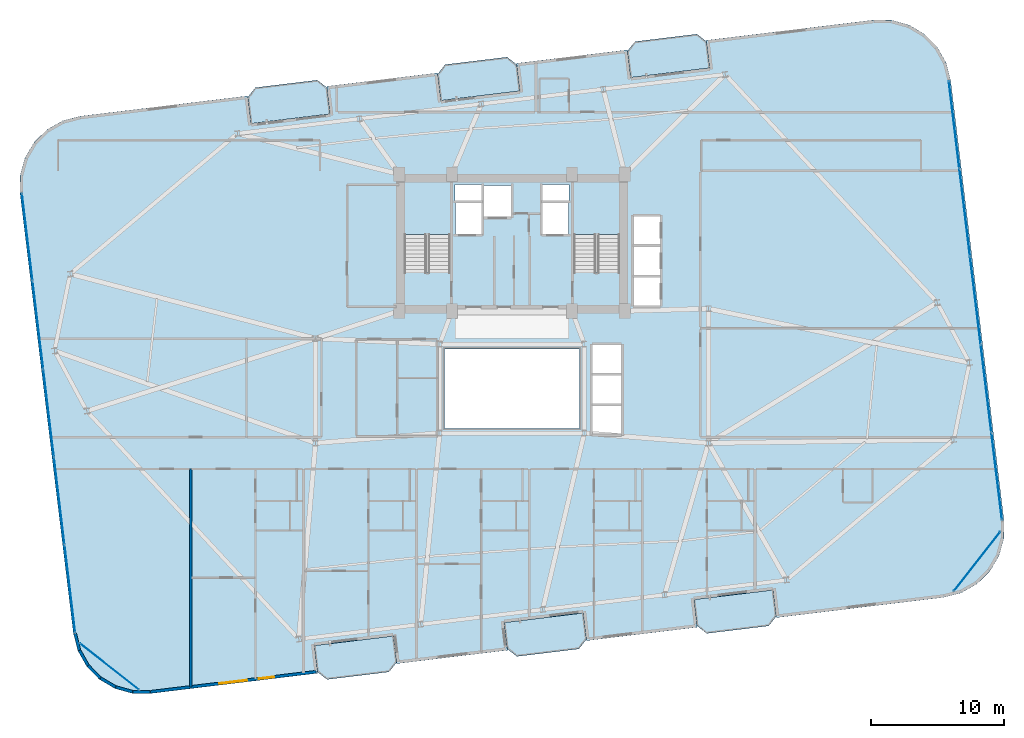
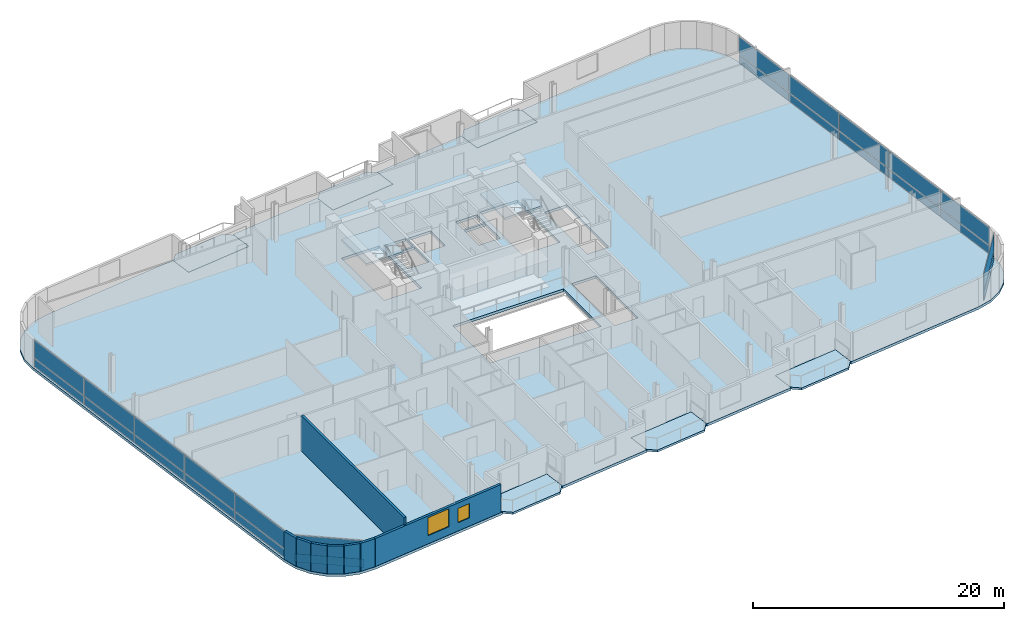
# One storey, part 14 of 24: 24 plates, 9 slabs, 8 walls, 2 windows, 2 openings, 6 elements without a shape of their own.
"""IFC4 building model written with IfcOpenShell, lengths in metres."""

from ifc_helpers import new_model, si_unit, direction, frame, frame_2d, origin, origin_2d, place, context, subcontext, project, spatial, polyline, rectangle, outline, extrude, source, transform, mapped, material, layer, layer_set, type_object, element, fill, aggregate, save


model = new_model("IFC4")

# Units and contexts
model_context = context("Model", 3, precision=1e-05, world=origin(), true_north=direction((0.0, 1.0)))
body_context = subcontext(model_context, "Body", "Model", "MODEL_VIEW")
ifc_project = project(units=[si_unit("LENGTHUNIT", "METRE"), si_unit("AREAUNIT", "SQUARE_METRE"), si_unit("VOLUMEUNIT", "CUBIC_METRE"), si_unit("PLANEANGLEUNIT", "RADIAN"), si_unit("MASSUNIT", "GRAM", prefix="KILO")], contexts=[model_context])

# Site, building, storey
site_placement = place(None, origin())
site = spatial("IfcSite", under=ifc_project, at=site_placement, CompositionType="ELEMENT")
building_placement = place(site_placement, origin())
building = spatial("IfcBuilding", under=site, at=building_placement, Name="Varnelok Gate Tower", CompositionType="ELEMENT")
storey_placement = place(building_placement, frame((0.0, 0.0, 196.800048828125)))
storey = spatial("IfcBuildingStorey", under=building, at=storey_placement, Name="L50", CompositionType="ELEMENT", Elevation=196.800048828125)

# Slabs
ifc_material_1 = material(Name="Concrete C45/55", Category="concrete")
ifc_layer_1 = layer(ifc_material_1, 0.199951171875)
ifc_layer_set_1 = layer_set([ifc_layer_1], Name="Concrete C45/55")
slab_type_1 = type_object("IfcSlabType", Name="SLB-BALC-200", PredefinedType="FLOOR", material=ifc_layer_set_1)
slab_1_placement = place(storey_placement, frame((0.0, 0.0, -0.199951171875)))
element("IfcSlab", 1, at=slab_1_placement, inside=storey, type_object=slab_type_1, Name="L50 South Hollow Balcony 1", PredefinedType="FLOOR", context=body_context, shape_type="SweptSolid", body=[
    extrude(outline(polyline([(24.550048828125, 1.564453125), (25.2734375, 0.997314453125), (29.939208984375, 1.56298828125), (30.50634765625, 2.28662109375), (30.265625, 4.27197265625), (24.309326171875, 3.5498046875), (24.550048828125, 1.564453125)])), origin(), (0.0, 0.0, 1.0), 0.199951171875),
])
slab_2_placement = place(storey_placement, frame((0.0, 0.0, -0.199951171875)))
element("IfcSlab", 2, at=slab_2_placement, inside=storey, type_object=slab_type_1, Name="L50 South Hollow Balcony 2", PredefinedType="FLOOR", context=body_context, shape_type="SweptSolid", body=[
    extrude(outline(polyline([(38.84521484375, 3.29736328125), (39.56884765625, 2.73046875), (44.234619140625, 3.2958984375), (44.8017578125, 4.01953125), (44.56103515625, 6.0048828125), (38.6044921875, 5.282958984375), (38.84521484375, 3.29736328125)])), origin(), (0.0, 0.0, 1.0), 0.199951171875),
])
slab_3_placement = place(storey_placement, frame((0.0, 0.0, -0.199951171875)))
element("IfcSlab", 3, at=slab_3_placement, inside=storey, type_object=slab_type_1, Name="L50 South Hollow Balcony 3", PredefinedType="FLOOR", context=body_context, shape_type="SweptSolid", body=[
    extrude(outline(polyline([(53.140625, 5.030517578125), (53.8642578125, 4.46337890625), (58.530029296875, 5.02880859375), (59.09716796875, 5.75244140625), (58.8564453125, 7.73779296875), (52.89990234375, 7.015869140625), (53.140625, 5.030517578125)])), origin(), (0.0, 0.0, 1.0), 0.199951171875),
])
slab_4_placement = place(storey_placement, frame((0.0, 0.0, -0.199951171875)))
element("IfcSlab", 4, at=slab_4_placement, inside=storey, type_object=slab_type_1, Name="L50 North Hollow Balcony 1", PredefinedType="FLOOR", context=body_context, shape_type="SweptSolid", body=[
    extrude(outline(polyline([(19.543701171875, 42.862060546875), (25.5, 43.584228515625), (25.25927734375, 45.569580078125), (24.535888671875, 46.13671875), (19.8701171875, 45.571044921875), (19.302978515625, 44.84765625), (19.543701171875, 42.862060546875)])), origin(), (0.0, 0.0, 1.0), 0.199951171875),
])
slab_5_placement = place(storey_placement, frame((0.0, 0.0, -0.199951171875)))
element("IfcSlab", 5, at=slab_5_placement, inside=storey, type_object=slab_type_1, Name="L50 North Hollow Balcony 2", PredefinedType="FLOOR", context=body_context, shape_type="SweptSolid", body=[
    extrude(outline(polyline([(33.839111328125, 44.59521484375), (39.79541015625, 45.317138671875), (39.5546875, 47.302490234375), (38.831298828125, 47.86962890625), (34.165283203125, 47.303955078125), (33.598388671875, 46.58056640625), (33.839111328125, 44.59521484375)])), origin(), (0.0, 0.0, 1.0), 0.199951171875),
])
slab_6_placement = place(storey_placement, frame((0.0, 0.0, -0.199951171875)))
element("IfcSlab", 6, at=slab_6_placement, inside=storey, type_object=slab_type_1, Name="L50 North Hollow Balcony 3", PredefinedType="FLOOR", context=body_context, shape_type="SweptSolid", body=[
    extrude(outline(polyline([(48.13427734375, 46.327880859375), (54.0908203125, 47.050048828125), (53.85009765625, 49.03564453125), (53.12646484375, 49.6025390625), (48.460693359375, 49.037109375), (47.8935546875, 48.3134765625), (48.13427734375, 46.327880859375)])), origin(), (0.0, 0.0, 1.0), 0.199951171875),
])

# Stair, slab
ifc_material_2 = material(Name="Concrete C50/60", Category="concrete")
stair_type = type_object("IfcStairType", Name="STR-CORE-1650", PredefinedType="HALF_TURN_STAIR", material=ifc_material_2)
stair_1_placement = place(storey_placement, origin())
stair_1 = element("IfcStair", 7, at=stair_1_placement, inside=storey, type_object=stair_type, Name="L50 Exit Stair ST-1", PredefinedType="HALF_TURN_STAIR")
ifc_layer_2 = layer(ifc_material_1, 0.199951171875)
ifc_layer_set_2 = layer_set([ifc_layer_2], Name="Concrete C45/55")
slab_type_2 = type_object("IfcSlabType", Name="SLB-LAND-200", PredefinedType="LANDING", material=ifc_layer_set_2)
slab_7_placement = place(storey_placement, frame((0.0, 0.0, 1.64990234375)))
slab_7 = element("IfcSlab", 8, at=slab_7_placement, type_object=slab_type_2, Name="ST-1 landing 1", PredefinedType="LANDING", context=body_context, shape_type="SweptSolid", body=[
    extrude(outline(polyline([(34.550048828125, 34.5), (34.550048828125, 38.449951171875), (31.10009765625, 38.449951171875), (31.10009765625, 34.5), (34.550048828125, 34.5)])), origin(), (0.0, 0.0, 1.0), 0.199951171875),
])
aggregate(stair_1, [slab_7])

stair_2_placement = place(storey_placement, origin())
stair_2 = element("IfcStair", 9, at=stair_2_placement, inside=storey, type_object=stair_type, Name="L50 Exit Stair ST-2", PredefinedType="HALF_TURN_STAIR")
slab_8_placement = place(storey_placement, frame((0.0, 0.0, 1.64990234375)))
slab_8 = element("IfcSlab", 10, at=slab_8_placement, type_object=slab_type_2, Name="ST-2 landing 1", PredefinedType="LANDING", context=body_context, shape_type="SweptSolid", body=[
    extrude(outline(polyline([(47.300048828125, 34.5), (47.300048828125, 38.449951171875), (43.85009765625, 38.449951171875), (43.85009765625, 34.5), (47.300048828125, 34.5)])), origin(), (0.0, 0.0, 1.0), 0.199951171875),
])
aggregate(stair_2, [slab_8])

# Slab
ifc_layer_3 = layer(ifc_material_2, 0.25)
ifc_layer_set_3 = layer_set([ifc_layer_3], Name="Concrete C50/60")
slab_type_3 = type_object("IfcSlabType", Name="SLB-TYP-250", PredefinedType="FLOOR", material=ifc_layer_set_3)
slab_9_placement = place(storey_placement, frame((0.0, 0.0, -0.25)))
element("IfcSlab", 11, at=slab_9_placement, inside=storey, type_object=slab_type_3, Name="L50 Structural Floor Slab", PredefinedType="FLOOR", context=body_context, shape_type="SweptSolid", body=[
    extrude(outline(polyline([(6.166259765625, 4.47314453125), (6.504150390625, 3.158447265625), (7.1708984375, 1.975830078125), (8.120849609375, 1.006103515625), (9.289306640625, 0.3154296875), (10.596923828125, -0.04931640625), (11.954345703125, -0.063232421875), (22.87451171875, 1.260498046875), (24.56201171875, 1.465087890625), (24.309326171875, 3.5498046875), (30.265625, 4.27197265625), (30.518310546875, 2.187255859375), (38.857421875, 3.197998046875), (38.6044921875, 5.282958984375), (44.56103515625, 6.0048828125), (44.813720703125, 3.920166015625), (53.152587890625, 4.93115234375), (52.89990234375, 7.015869140625), (58.8564453125, 7.73779296875), (59.109130859375, 5.6533203125), (60.796630859375, 5.85791015625), (71.716796875, 7.181396484375), (73.031494140625, 7.519287109375), (74.214111328125, 8.18603515625), (75.183837890625, 9.135986328125), (75.87451171875, 10.3046875), (76.2392578125, 11.612060546875), (76.253173828125, 12.969482421875), (72.233642578125, 46.126708984375), (71.895751953125, 47.441650390625), (71.229248046875, 48.6240234375), (70.279296875, 49.59375), (69.110595703125, 50.284423828125), (67.802978515625, 50.6494140625), (66.44580078125, 50.6630859375), (55.525634765625, 49.33935546875), (53.837890625, 49.134765625), (54.0908203125, 47.050048828125), (48.13427734375, 46.327880859375), (47.881591796875, 48.412841796875), (39.54248046875, 47.40185546875), (39.79541015625, 45.317138671875), (33.839111328125, 44.59521484375), (33.586181640625, 46.6796875), (25.247314453125, 45.6689453125), (25.5, 43.584228515625), (19.543701171875, 42.862060546875), (19.291015625, 44.94677734375), (17.603271484375, 44.7421875), (6.68310546875, 43.41845703125), (5.368408203125, 43.08056640625), (4.18603515625, 42.413818359375), (3.21630859375, 41.464111328125), (2.525390625, 40.29541015625), (2.16064453125, 38.98779296875), (2.146728515625, 37.630615234375), (6.166259765625, 4.47314453125)]), holes=[polyline([(34.550048828125, 31.679931640625), (34.550048828125, 38.449951171875), (31.10009765625, 38.449951171875), (31.10009765625, 31.679931640625), (34.550048828125, 31.679931640625)]), polyline([(47.300048828125, 31.679931640625), (47.300048828125, 38.449951171875), (43.85009765625, 38.449951171875), (43.85009765625, 31.679931640625), (47.300048828125, 31.679931640625)]), polyline([(34.949951171875, 34.550048828125), (36.89990234375, 34.550048828125), (36.89990234375, 36.89990234375), (34.949951171875, 36.89990234375), (34.949951171875, 34.550048828125)]), polyline([(41.5, 34.550048828125), (43.449951171875, 34.550048828125), (43.449951171875, 36.89990234375), (41.5, 36.89990234375), (41.5, 34.550048828125)]), polyline([(37.050048828125, 35.85009765625), (39.14990234375, 35.85009765625), (39.14990234375, 38.199951171875), (37.050048828125, 38.199951171875), (37.050048828125, 35.85009765625)]), polyline([(48.35009765625, 29.14990234375), (50.35009765625, 29.14990234375), (50.35009765625, 35.89990234375), (48.35009765625, 35.89990234375), (48.35009765625, 29.14990234375)]), polyline([(45.25, 19.449951171875), (47.449951171875, 19.449951171875), (47.449951171875, 26.199951171875), (45.25, 26.199951171875), (45.25, 19.449951171875)]), polyline([(34.919921875, 37.080078125), (36.89990234375, 37.080078125), (36.89990234375, 38.280029296875), (34.919921875, 38.280029296875), (34.919921875, 37.080078125)]), polyline([(41.5, 37.080078125), (43.47998046875, 37.080078125), (43.47998046875, 38.280029296875), (41.5, 38.280029296875), (41.5, 37.080078125)]), polyline([(34.10009765625, 19.89990234375), (44.300048828125, 19.89990234375), (44.300048828125, 25.89990234375), (34.10009765625, 25.89990234375), (34.10009765625, 19.89990234375)])]), origin(), (0.0, 0.0, 1.0), 0.25),
])

# Curtain wall, plates
ifc_material_3 = material(Name="Anodized Aluminum Alloy 6063-T6", Category="aluminium")
ifc_layer_4 = layer(ifc_material_3, 0.179931640625)
ifc_layer_set_4 = layer_set([ifc_layer_4], Name="Anodized Aluminum Alloy 6063-T6")
curtain_wall_type_1 = type_object("IfcCurtainWallType", Name="CW4-RESIDENCE-VISION", PredefinedType="USERDEFINED", material=ifc_layer_set_4)
curtain_wall_1_placement = place(storey_placement, origin())
curtain_wall_1 = element("IfcCurtainWall", 12, at=curtain_wall_1_placement, inside=storey, type_object=curtain_wall_type_1, Name="L50 West End Vision Curtain Wall", ObjectType="UNITISED CURTAIN WALL", PredefinedType="USERDEFINED")
ifc_material_4 = material(Name="Low-E Laminated Double Glazing IGU", Category="glass")
ifc_layer_5 = layer(ifc_material_4, 0.035888671875)
ifc_layer_set_5 = layer_set([ifc_layer_5], Name="Low-E Laminated Double Glazing IGU")
plate_type_1 = type_object("IfcPlateType", Name="CW-PNL-IGU36", PredefinedType="CURTAIN_PANEL", material=ifc_layer_set_5)
shared_shape_1 = source(origin(), body_context, "Body", "SweptSolid", [
    extrude(rectangle(XDim=6.5673828125, YDim=0.035888671875, at=origin_2d()), origin(), (0.0, 0.0, 1.0), 0.78759765625),
])
plate_1_placement = place(storey_placement, frame((5.901123046875, 7.824462890625, 0.074951171875), z_axis=(0.0, 0.0, 1.0), x_axis=(-0.120344511371, 0.992732188751, 0.0)))
plate_1 = element("IfcPlate", 13, at=plate_1_placement, type_object=plate_type_1, Name="CW4 panel 1.1", PredefinedType="CURTAIN_PANEL", context=body_context, shape_type="MappedRepresentation", body=[
    mapped(shared_shape_1, transform((0.0, 0.0, 0.0), scale=1.0)),
])
plate_2_placement = place(storey_placement, frame((2.68994140625, 34.31298828125, 0.074951171875), z_axis=(0.0, 0.0, 1.0), x_axis=(-0.120344511371, 0.992732188751, 0.0)))
plate_2 = element("IfcPlate", 14, at=plate_2_placement, type_object=plate_type_1, Name="CW4 panel 5.1", PredefinedType="CURTAIN_PANEL", context=body_context, shape_type="MappedRepresentation", body=[
    mapped(shared_shape_1, transform((0.0, 0.0, 0.0), scale=1.0)),
])

curtain_wall_2_placement = place(storey_placement, origin())
curtain_wall_2 = element("IfcCurtainWall", 15, at=curtain_wall_2_placement, inside=storey, type_object=curtain_wall_type_1, Name="L50 East End Vision Curtain Wall", ObjectType="UNITISED CURTAIN WALL", PredefinedType="USERDEFINED")
plate_3_placement = place(storey_placement, frame((72.4990234375, 42.775634765625, 0.074951171875), z_axis=(0.0, 0.0, 1.0), x_axis=(0.120344511371, -0.992732188751, 0.0)))
plate_3 = element("IfcPlate", 16, at=plate_3_placement, type_object=plate_type_1, Name="CW4 panel 1.1", PredefinedType="CURTAIN_PANEL", context=body_context, shape_type="MappedRepresentation", body=[
    mapped(shared_shape_1, transform((0.0, 0.0, 0.0), scale=1.0)),
])
plate_4_placement = place(storey_placement, frame((75.7099609375, 16.287109375, 0.074951171875), z_axis=(0.0, 0.0, 1.0), x_axis=(0.120344511371, -0.992732188751, 0.0)))
plate_4 = element("IfcPlate", 17, at=plate_4_placement, type_object=plate_type_1, Name="CW4 panel 5.1", PredefinedType="CURTAIN_PANEL", context=body_context, shape_type="MappedRepresentation", body=[
    mapped(shared_shape_1, transform((0.0, 0.0, 0.0), scale=1.0)),
])

# Plate
shared_shape_2 = source(origin(), body_context, "Body", "SweptSolid", [
    extrude(rectangle(XDim=6.5673828125, YDim=0.035888671875, at=origin_2d()), origin(), (0.0, 0.0, 1.0), 1.717529296875),
])
plate_5_placement = place(storey_placement, frame((5.901123046875, 7.824462890625, 0.9375), z_axis=(0.0, 0.0, 1.0), x_axis=(-0.120344511371, 0.992732188751, 0.0)))
plate_5 = element("IfcPlate", 18, at=plate_5_placement, type_object=plate_type_1, Name="CW4 panel 1.2", PredefinedType="CURTAIN_PANEL", context=body_context, shape_type="MappedRepresentation", body=[
    mapped(shared_shape_2, transform((0.0, 0.0, 0.0), scale=1.0)),
])

plate_6_placement = place(storey_placement, frame((2.68994140625, 34.31298828125, 0.9375), z_axis=(0.0, 0.0, 1.0), x_axis=(-0.120344511371, 0.992732188751, 0.0)))
plate_6 = element("IfcPlate", 19, at=plate_6_placement, type_object=plate_type_1, Name="CW4 panel 5.2", PredefinedType="CURTAIN_PANEL", context=body_context, shape_type="MappedRepresentation", body=[
    mapped(shared_shape_2, transform((0.0, 0.0, 0.0), scale=1.0)),
])

plate_7_placement = place(storey_placement, frame((72.4990234375, 42.775634765625, 0.9375), z_axis=(0.0, 0.0, 1.0), x_axis=(0.120344511371, -0.992732188751, 0.0)))
plate_7 = element("IfcPlate", 20, at=plate_7_placement, type_object=plate_type_1, Name="CW4 panel 1.2", PredefinedType="CURTAIN_PANEL", context=body_context, shape_type="MappedRepresentation", body=[
    mapped(shared_shape_2, transform((0.0, 0.0, 0.0), scale=1.0)),
])

plate_8_placement = place(storey_placement, frame((75.7099609375, 16.287109375, 0.9375), z_axis=(0.0, 0.0, 1.0), x_axis=(0.120344511371, -0.992732188751, 0.0)))
plate_8 = element("IfcPlate", 21, at=plate_8_placement, type_object=plate_type_1, Name="CW4 panel 5.2", PredefinedType="CURTAIN_PANEL", context=body_context, shape_type="MappedRepresentation", body=[
    mapped(shared_shape_2, transform((0.0, 0.0, 0.0), scale=1.0)),
])

shared_shape_3 = source(origin(), body_context, "Body", "SweptSolid", [
    extrude(rectangle(XDim=6.60498046875, YDim=0.035888671875, at=origin_2d()), origin(), (0.0, 0.0, 1.0), 0.78759765625),
])
plate_9_placement = place(storey_placement, frame((5.099365234375, 14.437255859375, 0.074951171875), z_axis=(0.0, 0.0, 1.0), x_axis=(-0.120344511371, 0.992732188751, 0.0)))
plate_9 = element("IfcPlate", 22, at=plate_9_placement, type_object=plate_type_1, Name="CW4 panel 2.1", PredefinedType="CURTAIN_PANEL", context=body_context, shape_type="MappedRepresentation", body=[
    mapped(shared_shape_3, transform((0.0, 0.0, 0.0), scale=1.0)),
])

plate_10_placement = place(storey_placement, frame((4.295654296875, 21.068603515625, 0.074951171875), z_axis=(0.0, 0.0, 1.0), x_axis=(-0.120344511371, 0.992732188751, 0.0)))
plate_10 = element("IfcPlate", 23, at=plate_10_placement, type_object=plate_type_1, Name="CW4 panel 3.1", PredefinedType="CURTAIN_PANEL", context=body_context, shape_type="MappedRepresentation", body=[
    mapped(shared_shape_3, transform((0.0, 0.0, 0.0), scale=1.0)),
])

plate_11_placement = place(storey_placement, frame((3.49169921875, 27.7001953125, 0.074951171875), z_axis=(0.0, 0.0, 1.0), x_axis=(-0.120344511371, 0.992732188751, 0.0)))
plate_11 = element("IfcPlate", 24, at=plate_11_placement, type_object=plate_type_1, Name="CW4 panel 4.1", PredefinedType="CURTAIN_PANEL", context=body_context, shape_type="MappedRepresentation", body=[
    mapped(shared_shape_3, transform((0.0, 0.0, 0.0), scale=1.0)),
])

plate_12_placement = place(storey_placement, frame((73.300537109375, 36.162841796875, 0.074951171875), z_axis=(0.0, 0.0, 1.0), x_axis=(0.120344511371, -0.992732188751, 0.0)))
plate_12 = element("IfcPlate", 25, at=plate_12_placement, type_object=plate_type_1, Name="CW4 panel 2.1", PredefinedType="CURTAIN_PANEL", context=body_context, shape_type="MappedRepresentation", body=[
    mapped(shared_shape_3, transform((0.0, 0.0, 0.0), scale=1.0)),
])

plate_13_placement = place(storey_placement, frame((74.1044921875, 29.53125, 0.074951171875), z_axis=(0.0, 0.0, 1.0), x_axis=(0.120344511371, -0.992732188751, 0.0)))
plate_13 = element("IfcPlate", 26, at=plate_13_placement, type_object=plate_type_1, Name="CW4 panel 3.1", PredefinedType="CURTAIN_PANEL", context=body_context, shape_type="MappedRepresentation", body=[
    mapped(shared_shape_3, transform((0.0, 0.0, 0.0), scale=1.0)),
])

plate_14_placement = place(storey_placement, frame((74.908447265625, 22.89990234375, 0.074951171875), z_axis=(0.0, 0.0, 1.0), x_axis=(0.120344511371, -0.992732188751, 0.0)))
plate_14 = element("IfcPlate", 27, at=plate_14_placement, type_object=plate_type_1, Name="CW4 panel 4.1", PredefinedType="CURTAIN_PANEL", context=body_context, shape_type="MappedRepresentation", body=[
    mapped(shared_shape_3, transform((0.0, 0.0, 0.0), scale=1.0)),
])

shared_shape_4 = source(origin(), body_context, "Body", "SweptSolid", [
    extrude(rectangle(XDim=6.60498046875, YDim=0.035888671875, at=origin_2d()), origin(), (0.0, 0.0, 1.0), 1.717529296875),
])
plate_15_placement = place(storey_placement, frame((5.099365234375, 14.437255859375, 0.9375), z_axis=(0.0, 0.0, 1.0), x_axis=(-0.120344511371, 0.992732188751, 0.0)))
plate_15 = element("IfcPlate", 28, at=plate_15_placement, type_object=plate_type_1, Name="CW4 panel 2.2", PredefinedType="CURTAIN_PANEL", context=body_context, shape_type="MappedRepresentation", body=[
    mapped(shared_shape_4, transform((0.0, 0.0, 0.0), scale=1.0)),
])

plate_16_placement = place(storey_placement, frame((4.295654296875, 21.068603515625, 0.9375), z_axis=(0.0, 0.0, 1.0), x_axis=(-0.120344511371, 0.992732188751, 0.0)))
plate_16 = element("IfcPlate", 29, at=plate_16_placement, type_object=plate_type_1, Name="CW4 panel 3.2", PredefinedType="CURTAIN_PANEL", context=body_context, shape_type="MappedRepresentation", body=[
    mapped(shared_shape_4, transform((0.0, 0.0, 0.0), scale=1.0)),
])

plate_17_placement = place(storey_placement, frame((3.49169921875, 27.7001953125, 0.9375), z_axis=(0.0, 0.0, 1.0), x_axis=(-0.120344511371, 0.992732188751, 0.0)))
plate_17 = element("IfcPlate", 30, at=plate_17_placement, type_object=plate_type_1, Name="CW4 panel 4.2", PredefinedType="CURTAIN_PANEL", context=body_context, shape_type="MappedRepresentation", body=[
    mapped(shared_shape_4, transform((0.0, 0.0, 0.0), scale=1.0)),
])

aggregate(curtain_wall_1, [plate_1, plate_5, plate_9, plate_15, plate_10, plate_16, plate_11, plate_17, plate_2, plate_6])

plate_18_placement = place(storey_placement, frame((73.300537109375, 36.162841796875, 0.9375), z_axis=(0.0, 0.0, 1.0), x_axis=(0.120344511371, -0.992732188751, 0.0)))
plate_18 = element("IfcPlate", 31, at=plate_18_placement, type_object=plate_type_1, Name="CW4 panel 2.2", PredefinedType="CURTAIN_PANEL", context=body_context, shape_type="MappedRepresentation", body=[
    mapped(shared_shape_4, transform((0.0, 0.0, 0.0), scale=1.0)),
])

plate_19_placement = place(storey_placement, frame((74.1044921875, 29.53125, 0.9375), z_axis=(0.0, 0.0, 1.0), x_axis=(0.120344511371, -0.992732188751, 0.0)))
plate_19 = element("IfcPlate", 32, at=plate_19_placement, type_object=plate_type_1, Name="CW4 panel 3.2", PredefinedType="CURTAIN_PANEL", context=body_context, shape_type="MappedRepresentation", body=[
    mapped(shared_shape_4, transform((0.0, 0.0, 0.0), scale=1.0)),
])

plate_20_placement = place(storey_placement, frame((74.908447265625, 22.89990234375, 0.9375), z_axis=(0.0, 0.0, 1.0), x_axis=(0.120344511371, -0.992732188751, 0.0)))
plate_20 = element("IfcPlate", 33, at=plate_20_placement, type_object=plate_type_1, Name="CW4 panel 4.2", PredefinedType="CURTAIN_PANEL", context=body_context, shape_type="MappedRepresentation", body=[
    mapped(shared_shape_4, transform((0.0, 0.0, 0.0), scale=1.0)),
])

aggregate(curtain_wall_2, [plate_3, plate_7, plate_12, plate_18, plate_13, plate_19, plate_14, plate_20, plate_4, plate_8])

# Curtain wall, plates
ifc_layer_6 = layer(ifc_material_3, 0.179931640625)
ifc_layer_set_6 = layer_set([ifc_layer_6], Name="Anodized Aluminum Alloy 6063-T6")
curtain_wall_type_2 = type_object("IfcCurtainWallType", Name="CW5-WINDCORNER-GLAZ", PredefinedType="USERDEFINED", material=ifc_layer_set_6)
curtain_wall_3_placement = place(storey_placement, origin())
curtain_wall_3 = element("IfcCurtainWall", 34, at=curtain_wall_3_placement, inside=storey, type_object=curtain_wall_type_2, Name="L50 Wind-Shaped Corner Curtain Wall SW", ObjectType="STRUCTURAL GLAZING", PredefinedType="USERDEFINED")
ifc_layer_7 = layer(ifc_material_4, 0.0419921875)
ifc_layer_set_7 = layer_set([ifc_layer_7], Name="Low-E Laminated Double Glazing IGU")
plate_type_2 = type_object("IfcPlateType", Name="CW-PNL-SPN42", PredefinedType="CURTAIN_PANEL", material=ifc_layer_set_7)
shared_shape_5 = source(origin(), body_context, "Body", "SweptSolid", [
    extrude(rectangle(XDim=5.6259765625, YDim=0.0419921875, at=origin_2d()), origin(), (0.0, 0.0, 1.0), 0.802490234375),
])
plate_21_placement = place(storey_placement, frame((8.872802734375, 1.9658203125, 0.06494140625), z_axis=(0.0, 0.0, 1.0), x_axis=(0.787070733481, -0.616862756615, 0.0)))
plate_21 = element("IfcPlate", 35, at=plate_21_placement, type_object=plate_type_2, Name="CW5 panel 1.1", PredefinedType="CURTAIN_PANEL", context=body_context, shape_type="MappedRepresentation", body=[
    mapped(shared_shape_5, transform((0.0, 0.0, 0.0), scale=1.0)),
])
shared_shape_6 = source(origin(), body_context, "Body", "SweptSolid", [
    extrude(rectangle(XDim=5.6259765625, YDim=0.0419921875, at=origin_2d()), origin(), (0.0, 0.0, 1.0), 1.732421875),
])
plate_22_placement = place(storey_placement, frame((8.872802734375, 1.9658203125, 0.932373046875), z_axis=(0.0, 0.0, 1.0), x_axis=(0.787070733481, -0.616862756615, 0.0)))
plate_22 = element("IfcPlate", 36, at=plate_22_placement, type_object=plate_type_2, Name="CW5 panel 1.2", PredefinedType="CURTAIN_PANEL", context=body_context, shape_type="MappedRepresentation", body=[
    mapped(shared_shape_6, transform((0.0, 0.0, 0.0), scale=1.0)),
])
aggregate(curtain_wall_3, [plate_21, plate_22])

curtain_wall_4_placement = place(storey_placement, origin())
curtain_wall_4 = element("IfcCurtainWall", 37, at=curtain_wall_4_placement, inside=storey, type_object=curtain_wall_type_2, Name="L50 Wind-Shaped Corner Curtain Wall SE", ObjectType="STRUCTURAL GLAZING", PredefinedType="USERDEFINED")
shared_shape_7 = source(origin(), body_context, "Body", "SweptSolid", [
    extrude(rectangle(XDim=5.625732421875, YDim=0.0419921875, at=origin_2d()), origin(), (0.0, 0.0, 1.0), 0.802490234375),
])
plate_23_placement = place(storey_placement, frame((74.224365234375, 9.887939453125, 0.06494140625), z_axis=(0.0, 0.0, 1.0), x_axis=(0.616871191769, 0.787064122397, 0.0)))
plate_23 = element("IfcPlate", 38, at=plate_23_placement, type_object=plate_type_2, Name="CW5 panel 1.1", PredefinedType="CURTAIN_PANEL", context=body_context, shape_type="MappedRepresentation", body=[
    mapped(shared_shape_7, transform((0.0, 0.0, 0.0), scale=1.0)),
])
shared_shape_8 = source(origin(), body_context, "Body", "SweptSolid", [
    extrude(rectangle(XDim=5.625732421875, YDim=0.0419921875, at=origin_2d()), origin(), (0.0, 0.0, 1.0), 1.732421875),
])
plate_24_placement = place(storey_placement, frame((74.224365234375, 9.887939453125, 0.932373046875), z_axis=(0.0, 0.0, 1.0), x_axis=(0.616871191769, 0.787064122397, 0.0)))
plate_24 = element("IfcPlate", 39, at=plate_24_placement, type_object=plate_type_2, Name="CW5 panel 1.2", PredefinedType="CURTAIN_PANEL", context=body_context, shape_type="MappedRepresentation", body=[
    mapped(shared_shape_8, transform((0.0, 0.0, 0.0), scale=1.0)),
])
aggregate(curtain_wall_4, [plate_23, plate_24])

# Walls
ifc_layer_8 = layer(ifc_material_1, 0.219970703125)
ifc_layer_set_8 = layer_set([ifc_layer_8], Name="Concrete C45/55")
wall_type_1 = type_object("IfcWallType", Name="EW-BALC-220", PredefinedType="SOLIDWALL", material=ifc_layer_set_8)
wall_1_placement = place(storey_placement, frame((6.286376953125, 4.48779296875, 0.0), z_axis=(0.0, 0.0, 1.0), x_axis=(0.248942347653, -0.968518305219, 0.0)))
element("IfcWall", 40, at=wall_1_placement, inside=storey, type_object=wall_type_1, Name="L50 Perimeter Facade Closure Wall 1", PredefinedType="SOLIDWALL", context=body_context, shape_type="SweptSolid", body=[
    extrude(rectangle(XDim=1.325927734375, YDim=0.219970703125, at=frame_2d((0.6630859375, 0.0))), origin(), (0.0, 0.0, 1.0), 2.72998046875),
])
for number, where, z_axis, x_axis, name in (
    (41, (6.62890625, 3.181884765625, 0.0), (0.0, 0.0, 1.0), (0.490956091431, -0.871184318205, 0.0), "L50 Perimeter Facade Closure Wall 2"),
    (42, (7.28515625, 2.03076171875, 0.0), (0.0, 0.0, 1.0), (0.699844331926, -0.714295394827, 0.0), "L50 Perimeter Facade Closure Wall 3"),
    (43, (8.217041015625, 1.088623046875, 0.0), (0.0, 0.0, 1.0), (0.860885425627, -0.508798863936, 0.0), "L50 Perimeter Facade Closure Wall 4"),
):
    element("IfcWall", number, at=place(storey_placement, frame(where, z_axis=z_axis, x_axis=x_axis)), inside=storey, type_object=wall_type_1, Name=name, PredefinedType="SOLIDWALL", context=body_context, shape_type="SweptSolid", body=[
        extrude(rectangle(XDim=1.30078125, YDim=0.219970703125, at=frame_2d((0.650390625, 0.0))), origin(), (0.0, 0.0, 1.0), 2.72998046875),
    ])
wall_2_placement = place(storey_placement, frame((9.36083984375, 0.420166015625, 0.0), z_axis=(0.0, 0.0, 1.0), x_axis=(0.963218895288, -0.268717992997, 0.0)))
element("IfcWall", 44, at=wall_2_placement, inside=storey, type_object=wall_type_1, Name="L50 Perimeter Facade Closure Wall 5", PredefinedType="SOLIDWALL", context=body_context, shape_type="SweptSolid", body=[
    extrude(rectangle(XDim=1.301025390625, YDim=0.219970703125, at=frame_2d((0.650390625, 0.0))), origin(), (0.0, 0.0, 1.0), 2.72998046875),
])
wall_3_placement = place(storey_placement, frame((10.638916015625, 0.0703125, 0.0), z_axis=(0.0, 0.0, 1.0), x_axis=(0.999947377741, -0.010258740119, 0.0)))
element("IfcWall", 45, at=wall_3_placement, inside=storey, type_object=wall_type_1, Name="L50 Perimeter Facade Closure Wall 6", PredefinedType="SOLIDWALL", context=body_context, shape_type="SweptSolid", body=[
    extrude(rectangle(XDim=1.308837890625, YDim=0.219970703125, at=frame_2d((0.654296875, 0.0))), origin(), (0.0, 0.0, 1.0), 2.72998046875),
])

# Wall, openings, windows
wall_4_placement = place(storey_placement, frame((11.972412109375, 0.059814453125, 0.0), z_axis=(0.0, 0.0, 1.0), x_axis=(0.992732021049, 0.120345894751, 0.0)))
wall_4 = element("IfcWall", 46, at=wall_4_placement, inside=storey, type_object=wall_type_1, Name="L50 Perimeter Facade Closure Wall 7", PredefinedType="SOLIDWALL", context=body_context, shape_type="SweptSolid", body=[
    extrude(rectangle(XDim=12.54736328125, YDim=0.219970703125, at=frame_2d((6.273681640625, 0.0))), origin(), (0.0, 0.0, 1.0), 2.72998046875),
])
opening_1_placement = place(wall_4_placement, frame((5.2236328125, 0.0, 0.800048828125)))
opening_1 = element("IfcOpeningElement", 47, at=opening_1_placement, cuts=wall_4, Name="Opening WN4", PredefinedType="OPENING", context=body_context, shape_type="SweptSolid", body=[
    extrude(rectangle(XDim=2.10009765625, YDim=1.75, at=frame_2d((1.050048828125, 0.875))), frame((0.0, 0.119873046875, 0.0), z_axis=(0.0, -1.0, 0.0), x_axis=(1.0, 0.0, 0.0)), (0.0, 0.0, 1.0), 0.239990234375),
])
opening_2_placement = place(wall_4_placement, frame((8.224853515625, 0.0, 0.800048828125)))
opening_2 = element("IfcOpeningElement", 48, at=opening_2_placement, cuts=wall_4, Name="Opening WN8", PredefinedType="OPENING", context=body_context, shape_type="SweptSolid", body=[
    extrude(rectangle(XDim=1.14990234375, YDim=1.39990234375, at=frame_2d((0.574951171875, 0.699951171875))), frame((0.0, 0.119873046875, 0.0), z_axis=(0.0, -1.0, 0.0), x_axis=(1.0, 0.0, 0.0)), (0.0, 0.0, 1.0), 0.239990234375),
])
window_type_1 = type_object("IfcWindowType", Name="WN-BED-1150", PartitioningType="SINGLE_PANEL", PredefinedType="WINDOW", material=ifc_material_4)
window_1_placement = place(opening_2_placement, origin())
window_1 = element("IfcWindow", 49, at=window_1_placement, inside=storey, type_object=window_type_1, Name="L50 Bedroom Vision Window 34", OverallHeight=1.39990234375, OverallWidth=1.14990234375, PartitioningType="SINGLE_PANEL", PredefinedType="WINDOW", context=body_context, shape_type="SweptSolid", body=[
    extrude(rectangle(XDim=1.14990234375, YDim=1.39990234375, at=frame_2d((0.574951171875, 0.699951171875))), frame((0.0, 0.030029296875, 0.0), z_axis=(0.0, -1.0, 0.0), x_axis=(1.0, 0.0, 0.0)), (0.0, 0.0, 1.0), 0.06005859375),
])
fill(opening_2, window_1)
window_type_2 = type_object("IfcWindowType", Name="WN-SUI-2100", PartitioningType="SINGLE_PANEL", PredefinedType="WINDOW", material=ifc_material_4)
window_2_placement = place(opening_1_placement, origin())
window_2 = element("IfcWindow", 50, at=window_2_placement, inside=storey, type_object=window_type_2, Name="L50 Perimeter Vision Window 7", OverallHeight=1.75, OverallWidth=2.10009765625, PartitioningType="SINGLE_PANEL", PredefinedType="WINDOW", context=body_context, shape_type="SweptSolid", body=[
    extrude(rectangle(XDim=2.10009765625, YDim=1.75, at=frame_2d((1.050048828125, 0.875))), frame((0.0, 0.030029296875, 0.0), z_axis=(0.0, -1.0, 0.0), x_axis=(1.0, 0.0, 0.0)), (0.0, 0.0, 1.0), 0.06005859375),
])
fill(opening_1, window_2)

# Wall
ifc_material_5 = material(Name="Gypsum Plasterboard Acoustic Partition", Category="gypsum")
ifc_layer_9 = layer(ifc_material_5, 0.205078125)
ifc_layer_set_9 = layer_set([ifc_layer_9], Name="Gypsum Plasterboard Acoustic Partition")
wall_type_2 = type_object("IfcWallType", Name="PW-PARTY-200", PredefinedType="PARTITIONING", material=ifc_layer_set_9)
wall_5_placement = place(storey_placement, frame((15.0, 0.447021484375, 0.0), z_axis=(0.0, 0.0, 1.0), x_axis=(0.0, 1.0, 0.0)))
element("IfcWall", 51, at=wall_5_placement, inside=storey, type_object=wall_type_2, Name="L50 South Party Wall 1", PredefinedType="PARTITIONING", context=body_context, shape_type="SweptSolid", body=[
    extrude(rectangle(XDim=16.403076171875, YDim=0.205078125, at=frame_2d((8.20166015625, 0.0))), origin(), (0.0, 0.0, 1.0), 3.449951171875),
])

save(model, "model.ifc")
